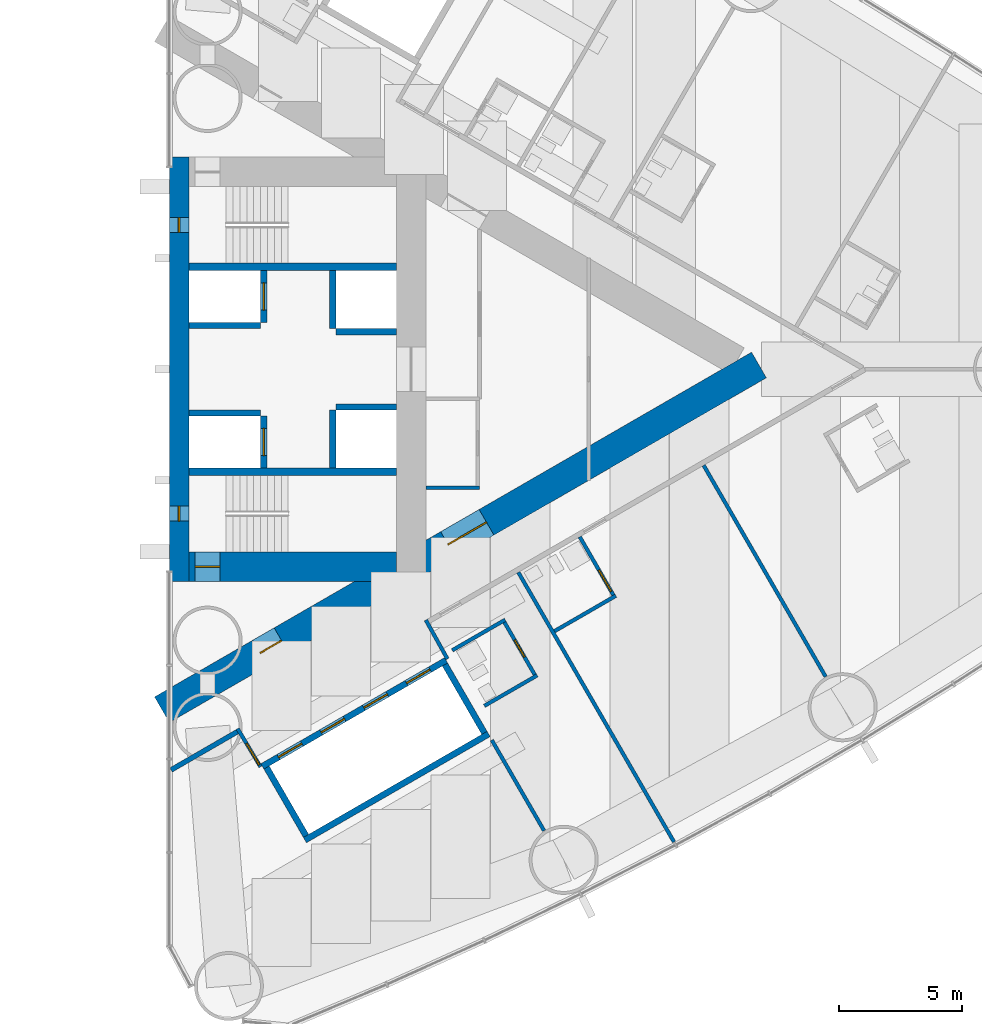
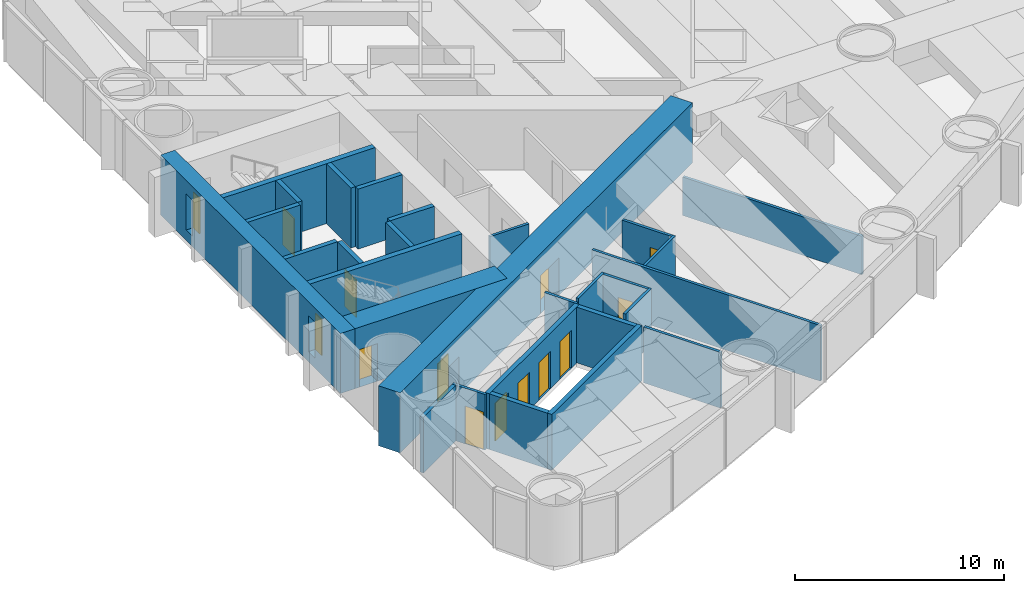
# One storey, part 13 of 18: 29 walls, 12 doors, 2 windows, 14 openings.
"""IFC4 building model written with IfcOpenShell, lengths in metres."""

from ifc_helpers import new_model, si_unit, direction, frame, frame_2d, origin, place, context, subcontext, project, spatial, rectangle, extrude, material, layer, layer_set, type_object, element, fill, save


model = new_model("IFC4")

# Units and contexts
model_context = context("Model", 3, precision=1e-05, world=origin(), true_north=direction((0.0, 1.0)))
body_context = subcontext(model_context, "Body", "Model", "MODEL_VIEW")
ifc_project = project(units=[si_unit("LENGTHUNIT", "METRE"), si_unit("AREAUNIT", "SQUARE_METRE"), si_unit("VOLUMEUNIT", "CUBIC_METRE"), si_unit("PLANEANGLEUNIT", "RADIAN"), si_unit("MASSUNIT", "GRAM", prefix="KILO")], contexts=[model_context])

# Site, building, storey
site_placement = place(None, origin())
site = spatial("IfcSite", under=ifc_project, at=site_placement, CompositionType="ELEMENT")
building_placement = place(site_placement, origin())
building = spatial("IfcBuilding", under=site, at=building_placement, Name="Lancet Gate Hotel", CompositionType="ELEMENT")
storey_placement = place(building_placement, frame((0.0, 0.0, 42.5)))
storey = spatial("IfcBuildingStorey", under=building, at=storey_placement, Name="L10", CompositionType="ELEMENT", Elevation=42.5)

# Wall
ifc_material_1 = material(Name="Moisture resistant board partition")
ifc_layer_1 = layer(ifc_material_1, 0.14990234375)
ifc_layer_set_1 = layer_set([ifc_layer_1], Name="Bathroom wall 150")
wall_type_1 = type_object("IfcWallType", Name="Bathroom wall 150", PredefinedType="PARTITIONING", material=ifc_layer_set_1)
wall_1_placement = place(storey_placement, frame((43.1123046875, -10.617431640625, 0.0), z_axis=(0.0, 0.0, 1.0), x_axis=(0.866018712932, 0.500011588718, 0.0)))
element("IfcWall", 1, at=wall_1_placement, inside=storey, type_object=wall_type_1, Name="T2 bathroom wall 150 L10", PredefinedType="PARTITIONING", context=body_context, shape_type="SweptSolid", body=[
    extrude(rectangle(XDim=2.875, YDim=0.14990234375, at=frame_2d((1.4375, 0.0))), origin(), (0.0, 0.0, 1.0), 3.25),
])

# Wall, opening, door
wall_2_placement = place(storey_placement, frame((44.13720703125, -6.79248046875, 0.0), z_axis=(0.0, 0.0, 1.0), x_axis=(0.49994636267, -0.866056369097, 0.0)))
wall_2 = element("IfcWall", 2, at=wall_2_placement, inside=storey, type_object=wall_type_1, Name="T2 bathroom wall 150 L10", PredefinedType="PARTITIONING", context=body_context, shape_type="SweptSolid", body=[
    extrude(rectangle(XDim=2.800048828125, YDim=0.14990234375, at=frame_2d((1.39990234375, 0.0))), origin(), (0.0, 0.0, 1.0), 3.25),
])
opening_1_placement = place(wall_2_placement, frame((1.550048828125, 0.0, 0.0)))
opening_1 = element("IfcOpeningElement", 3, at=opening_1_placement, cuts=wall_2, Name="Opening 1054-B", PredefinedType="OPENING", context=body_context, shape_type="SweptSolid", body=[
    extrude(rectangle(XDim=1.0, YDim=2.199951171875, at=frame_2d((0.5, 1.10009765625))), frame((0.0, 0.0849609375, 0.0), z_axis=(0.0, -1.0, 0.0), x_axis=(1.0, 0.0, 0.0)), (0.0, 0.0, 1.0), 0.169921875),
])
ifc_material_2 = material(Name="Timber door set", Category="wood")
door_type_1 = type_object("IfcDoorType", Name="Accessible en-suite door 1000", OperationType="SINGLE_SWING_RIGHT", PredefinedType="DOOR", material=ifc_material_2)
door_1_placement = place(opening_1_placement, origin())
door_1 = element("IfcDoor", 4, at=door_1_placement, inside=storey, type_object=door_type_1, Name="1054-B", OperationType="SINGLE_SWING_RIGHT", OverallHeight=2.199951171875, OverallWidth=1.0, PredefinedType="DOOR", context=body_context, shape_type="SweptSolid", body=[
    extrude(rectangle(XDim=1.0, YDim=2.199951171875, at=frame_2d((0.5, 1.10009765625))), frame((0.0, 0.02490234375, 0.0), z_axis=(0.0, -1.0, 0.0), x_axis=(1.0, 0.0, 0.0)), (0.0, 0.0, 1.0), 0.050048828125),
])
fill(opening_1, door_1)

# Wall
wall_3_placement = place(storey_placement, frame((40.269775390625, -13.644287109375, 0.0), z_axis=(0.0, 0.0, 1.0), x_axis=(0.866031185235, 0.4999899861, 0.0)))
element("IfcWall", 5, at=wall_3_placement, inside=storey, type_object=wall_type_1, Name="T2 bathroom wall 150 L10", PredefinedType="PARTITIONING", context=body_context, shape_type="SweptSolid", body=[
    extrude(rectangle(XDim=2.47509765625, YDim=0.14990234375, at=frame_2d((1.237548828125, 0.0))), origin(), (0.0, 0.0, 1.0), 3.25),
])

# Wall, opening, door
wall_4_placement = place(storey_placement, frame((41.04833984375, -10.192626953125, 0.0), z_axis=(0.0, 0.0, 1.0), x_axis=(0.500047596559, -0.865997922154, 0.0)))
wall_4 = element("IfcWall", 6, at=wall_4_placement, inside=storey, type_object=wall_type_1, Name="T2 bathroom wall 150 L10", PredefinedType="PARTITIONING", context=body_context, shape_type="SweptSolid", body=[
    extrude(rectangle(XDim=2.599853515625, YDim=0.14990234375, at=frame_2d((1.2998046875, 0.0))), origin(), (0.0, 0.0, 1.0), 3.25),
])
opening_2_placement = place(wall_4_placement, frame((0.89990234375, 0.0, 0.0)))
opening_2 = element("IfcOpeningElement", 7, at=opening_2_placement, cuts=wall_4, Name="Opening 1053-B", PredefinedType="OPENING", context=body_context, shape_type="SweptSolid", body=[
    extrude(rectangle(XDim=0.800048828125, YDim=2.199951171875, at=frame_2d((0.39990234375, 1.10009765625))), frame((0.0, 0.0849609375, 0.0), z_axis=(0.0, -1.0, 0.0), x_axis=(1.0, 0.0, 0.0)), (0.0, 0.0, 1.0), 0.169921875),
])
ifc_material_3 = material(Name="Timber door set", Category="wood")
door_type_2 = type_object("IfcDoorType", Name="Bathroom door 800", OperationType="SINGLE_SWING_RIGHT", PredefinedType="DOOR", material=ifc_material_3)
door_2_placement = place(opening_2_placement, origin())
door_2 = element("IfcDoor", 8, at=door_2_placement, inside=storey, type_object=door_type_2, Name="1053-B", OperationType="SINGLE_SWING_RIGHT", OverallHeight=2.199951171875, OverallWidth=0.800048828125, PredefinedType="DOOR", context=body_context, shape_type="SweptSolid", body=[
    extrude(rectangle(XDim=0.800048828125, YDim=2.199951171875, at=frame_2d((0.39990234375, 1.10009765625))), frame((0.0, 0.02490234375, 0.0), z_axis=(0.0, -1.0, 0.0), x_axis=(1.0, 0.0, 0.0)), (0.0, 0.0, 1.0), 0.050048828125),
])
fill(opening_2, door_2)

# Wall
wall_5_placement = place(storey_placement, frame((38.9697265625, -11.392578125, 0.0), z_axis=(0.0, 0.0, 1.0), x_axis=(0.866031185235, 0.4999899861, 0.0)))
element("IfcWall", 9, at=wall_5_placement, inside=storey, type_object=wall_type_1, Name="T2 bathroom wall 150 L10", PredefinedType="PARTITIONING", context=body_context, shape_type="SweptSolid", body=[
    extrude(rectangle(XDim=2.47509765625, YDim=0.14990234375, at=frame_2d((1.237548828125, 0.0))), origin(), (0.0, 0.0, 1.0), 3.25),
])

# Wall, openings, doors
ifc_material_4 = material(Name="Concrete C70/85", Category="concrete")
ifc_layer_2 = layer(ifc_material_4, 1.199951171875)
ifc_layer_set_2 = layer_set([ifc_layer_2], Name="Buttress wall 1200")
wall_type_2 = type_object("IfcWallType", Name="Buttress wall 1200", PredefinedType="SHEAR", material=ifc_layer_set_2)
wall_6_placement = place(storey_placement, frame((27.199951171875, -13.800048828125, 0.0), z_axis=(0.0, 0.0, 1.0), x_axis=(0.866027159892, 0.499996958321, 0.0)))
wall_6 = element("IfcWall", 10, at=wall_6_placement, inside=storey, type_object=wall_type_2, Name="T2 buttress wall S L10", PredefinedType="SHEAR", context=body_context, shape_type="SweptSolid", body=[
    extrude(rectangle(XDim=27.946533203125, YDim=1.199951171875, at=frame_2d((13.97314453125, 0.0))), origin(), (0.0, 0.0, 1.0), 3.5),
])
opening_3_placement = place(wall_6_placement, frame((4.60009765625, 0.0, 0.0)))
opening_3 = element("IfcOpeningElement", 11, at=opening_3_placement, cuts=wall_6, Name="Opening T2-L10-LS", PredefinedType="OPENING", context=body_context, shape_type="SweptSolid", body=[
    extrude(rectangle(XDim=1.0, YDim=2.199951171875, at=frame_2d((0.5, 1.10009765625))), frame((0.0, 0.60986328125, 0.0), z_axis=(0.0, -1.0, 0.0), x_axis=(1.0, 0.0, 0.0)), (0.0, 0.0, 1.0), 1.219970703125),
])
opening_4_placement = place(wall_6_placement, frame((13.39453125, 0.0, 0.0)))
opening_4 = element("IfcOpeningElement", 12, at=opening_4_placement, cuts=wall_6, Name="Opening T2-L10-LHS", PredefinedType="OPENING", context=body_context, shape_type="SweptSolid", body=[
    extrude(rectangle(XDim=1.800048828125, YDim=2.199951171875, at=frame_2d((0.89990234375, 1.10009765625))), frame((0.0, 0.60986328125, 0.0), z_axis=(0.0, -1.0, 0.0), x_axis=(1.0, 0.0, 0.0)), (0.0, 0.0, 1.0), 1.219970703125),
])
ifc_material_5 = material(Name="Timber door set", Category="wood")
door_type_3 = type_object("IfcDoorType", Name="Lobby double door 1800", OperationType="DOUBLE_DOOR_SINGLE_SWING", PredefinedType="DOOR", material=ifc_material_5)
door_3_placement = place(opening_4_placement, origin())
door_3 = element("IfcDoor", 13, at=door_3_placement, inside=storey, type_object=door_type_3, Name="T2-L10-LHS", OperationType="DOUBLE_DOOR_SINGLE_SWING", OverallHeight=2.199951171875, OverallWidth=1.800048828125, PredefinedType="DOOR", context=body_context, shape_type="SweptSolid", body=[
    extrude(rectangle(XDim=1.800048828125, YDim=2.199951171875, at=frame_2d((0.89990234375, 1.10009765625))), frame((0.0, 0.02490234375, 0.0), z_axis=(0.0, -1.0, 0.0), x_axis=(1.0, 0.0, 0.0)), (0.0, 0.0, 1.0), 0.050048828125),
])
fill(opening_4, door_3)
ifc_material_6 = material(Name="Timber door set", Category="wood")
door_type_4 = type_object("IfcDoorType", Name="Stair lobby door 1000", OperationType="SINGLE_SWING_LEFT", PredefinedType="DOOR", material=ifc_material_6)
door_4_placement = place(opening_3_placement, origin())
door_4 = element("IfcDoor", 14, at=door_4_placement, inside=storey, type_object=door_type_4, Name="T2-L10-LS", OperationType="SINGLE_SWING_LEFT", OverallHeight=2.199951171875, OverallWidth=1.0, PredefinedType="DOOR", context=body_context, shape_type="SweptSolid", body=[
    extrude(rectangle(XDim=1.0, YDim=2.199951171875, at=frame_2d((0.5, 1.10009765625))), frame((0.0, 0.02490234375, 0.0), z_axis=(0.0, -1.0, 0.0), x_axis=(1.0, 0.0, 0.0)), (0.0, 0.0, 1.0), 0.050048828125),
])
fill(opening_3, door_4)

# Wall, opening, door
ifc_material_7 = material(Name="Concrete C70/85", Category="concrete")
ifc_layer_3 = layer(ifc_material_7, 1.199951171875)
ifc_layer_set_3 = layer_set([ifc_layer_3], Name="Core wall 1200")
wall_type_3 = type_object("IfcWallType", Name="Core wall 1200", PredefinedType="SHEAR", material=ifc_layer_set_3)
wall_7_placement = place(storey_placement, frame((28.300048828125, -8.0, 0.0), z_axis=(0.0, 0.0, 1.0), x_axis=(1.0, 0.0, 0.0)))
wall_7 = element("IfcWall", 15, at=wall_7_placement, inside=storey, type_object=wall_type_3, Name="T2 core wall side-S L10", PredefinedType="SHEAR", context=body_context, shape_type="SweptSolid", body=[
    extrude(rectangle(XDim=8.39990234375, YDim=1.199951171875, at=frame_2d((4.199951171875, 0.0))), origin(), (0.0, 0.0, 1.0), 3.5),
])
opening_5_placement = place(wall_7_placement, frame((0.25, 0.0, 0.0)))
opening_5 = element("IfcOpeningElement", 16, at=opening_5_placement, cuts=wall_7, Name="Opening T2-L10-ST1", PredefinedType="OPENING", context=body_context, shape_type="SweptSolid", body=[
    extrude(rectangle(XDim=1.0, YDim=2.199951171875, at=frame_2d((0.5, 1.10009765625))), frame((0.0, 0.60986328125, 0.0), z_axis=(0.0, -1.0, 0.0), x_axis=(1.0, 0.0, 0.0)), (0.0, 0.0, 1.0), 1.219970703125),
])
ifc_material_8 = material(Name="Timber door set", Category="wood")
door_type_5 = type_object("IfcDoorType", Name="Stair door 1000", OperationType="SINGLE_SWING_RIGHT", PredefinedType="DOOR", material=ifc_material_8)
door_5_placement = place(opening_5_placement, origin())
door_5 = element("IfcDoor", 17, at=door_5_placement, inside=storey, type_object=door_type_5, Name="T2-L10-ST1", OperationType="SINGLE_SWING_RIGHT", OverallHeight=2.199951171875, OverallWidth=1.0, PredefinedType="DOOR", context=body_context, shape_type="SweptSolid", body=[
    extrude(rectangle(XDim=1.0, YDim=2.199951171875, at=frame_2d((0.5, 1.10009765625))), frame((0.0, 0.02490234375, 0.0), z_axis=(0.0, -1.0, 0.0), x_axis=(1.0, 0.0, 0.0)), (0.0, 0.0, 1.0), 0.050048828125),
])
fill(opening_5, door_5)

# Wall, openings, windows
ifc_material_9 = material(Name="Concrete C70/85", Category="concrete")
ifc_layer_4 = layer(ifc_material_9, 0.800048828125)
ifc_layer_set_4 = layer_set([ifc_layer_4], Name="Core wall 800")
wall_type_4 = type_object("IfcWallType", Name="Core wall 800", PredefinedType="SHEAR", material=ifc_layer_set_4)
wall_8_placement = place(storey_placement, frame((27.89990234375, -8.60009765625, 0.0), z_axis=(0.0, 0.0, 1.0), x_axis=(0.0, 1.0, 0.0)))
wall_8 = element("IfcWall", 18, at=wall_8_placement, inside=storey, type_object=wall_type_4, Name="T2 core wall front L10", PredefinedType="SHEAR", context=body_context, shape_type="SweptSolid", body=[
    extrude(rectangle(XDim=17.2001953125, YDim=0.800048828125, at=frame_2d((8.60009765625, 0.0))), origin(), (0.0, 0.0, 1.0), 3.5),
])
opening_6_placement = place(wall_8_placement, frame((2.449951171875, 0.0, 0.60009765625)))
opening_6 = element("IfcOpeningElement", 19, at=opening_6_placement, cuts=wall_8, Name="Opening LW1", PredefinedType="OPENING", context=body_context, shape_type="SweptSolid", body=[
    extrude(rectangle(XDim=0.60009765625, YDim=2.10009765625, at=frame_2d((0.300048828125, 1.050048828125))), frame((0.0, 0.409912109375, 0.0), z_axis=(0.0, -1.0, 0.0), x_axis=(1.0, 0.0, 0.0)), (0.0, 0.0, 1.0), 0.820068359375),
])
opening_7_placement = place(wall_8_placement, frame((14.14990234375, 0.0, 0.60009765625)))
opening_7 = element("IfcOpeningElement", 20, at=opening_7_placement, cuts=wall_8, Name="Opening LW1", PredefinedType="OPENING", context=body_context, shape_type="SweptSolid", body=[
    extrude(rectangle(XDim=0.60009765625, YDim=2.10009765625, at=frame_2d((0.300048828125, 1.050048828125))), frame((0.0, 0.409912109375, 0.0), z_axis=(0.0, -1.0, 0.0), x_axis=(1.0, 0.0, 0.0)), (0.0, 0.0, 1.0), 0.820068359375),
])
ifc_material_10 = material(Name="Fire-resisting glazed steel window", Category="steel")
window_type = type_object("IfcWindowType", Name="Lancet window 600x2100", PartitioningType="SINGLE_PANEL", PredefinedType="WINDOW", material=ifc_material_10)
window_1_placement = place(opening_6_placement, origin())
window_1 = element("IfcWindow", 21, at=window_1_placement, inside=storey, type_object=window_type, Name="T2 stair window S L10", OverallHeight=2.10009765625, OverallWidth=0.60009765625, PartitioningType="SINGLE_PANEL", PredefinedType="WINDOW", context=body_context, shape_type="SweptSolid", body=[
    extrude(rectangle(XDim=0.60009765625, YDim=2.10009765625, at=frame_2d((0.300048828125, 1.050048828125))), frame((0.0, 0.030029296875, 0.0), z_axis=(0.0, -1.0, 0.0), x_axis=(1.0, 0.0, 0.0)), (0.0, 0.0, 1.0), 0.06005859375),
])
fill(opening_6, window_1)
window_2_placement = place(opening_7_placement, origin())
window_2 = element("IfcWindow", 22, at=window_2_placement, inside=storey, type_object=window_type, Name="T2 stair window N L10", OverallHeight=2.10009765625, OverallWidth=0.60009765625, PartitioningType="SINGLE_PANEL", PredefinedType="WINDOW", context=body_context, shape_type="SweptSolid", body=[
    extrude(rectangle(XDim=0.60009765625, YDim=2.10009765625, at=frame_2d((0.300048828125, 1.050048828125))), frame((0.0, 0.030029296875, 0.0), z_axis=(0.0, -1.0, 0.0), x_axis=(1.0, 0.0, 0.0)), (0.0, 0.0, 1.0), 0.06005859375),
])
fill(opening_7, window_2)

# Wall
ifc_material_11 = material(Name="Gypsum board partition")
ifc_layer_5 = layer(ifc_material_11, 0.199951171875)
ifc_layer_set_5 = layer_set([ifc_layer_5], Name="Corridor wall 200")
wall_type_5 = type_object("IfcWallType", Name="Corridor wall 200", PredefinedType="PARTITIONING", material=ifc_layer_set_5)
wall_9_placement = place(storey_placement, frame((27.572021484375, -16.240966796875, 0.0), z_axis=(0.0, 0.0, 1.0), x_axis=(0.866029654818, 0.499992636921, 0.0)))
element("IfcWall", 23, at=wall_9_placement, inside=storey, type_object=wall_type_5, Name="T2 corridor wall 200 L10", PredefinedType="PARTITIONING", context=body_context, shape_type="SweptSolid", body=[
    extrude(rectangle(XDim=3.15478515625, YDim=0.199951171875, at=frame_2d((1.577392578125, 0.0))), origin(), (0.0, 0.0, 1.0), 3.25),
])

# Wall, openings, doors
ifc_material_12 = material(Name="Gypsum board partition")
ifc_layer_6 = layer(ifc_material_12, 0.25)
ifc_layer_set_6 = layer_set([ifc_layer_6], Name="Lift shaft partition 250")
wall_type_6 = type_object("IfcWallType", Name="Lift shaft partition 250", PredefinedType="PARTITIONING", material=ifc_layer_set_6)
wall_10_placement = place(storey_placement, frame((31.2705078125, -16.09716796875, 0.0), z_axis=(0.0, 0.0, 1.0), x_axis=(0.86604045752, 0.499973925258, 0.0)))
wall_10 = element("IfcWall", 24, at=wall_10_placement, inside=storey, type_object=wall_type_6, Name="T2 lift shaft wall LR L10", PredefinedType="PARTITIONING", context=body_context, shape_type="SweptSolid", body=[
    extrude(rectangle(XDim=8.60009765625, YDim=0.25, at=frame_2d((4.300048828125, 0.0))), origin(), (0.0, 0.0, 1.0), 3.25),
])
opening_8_placement = place(wall_10_placement, frame((0.75, 0.0, 0.0)))
opening_8 = element("IfcOpeningElement", 25, at=opening_8_placement, cuts=wall_10, Name="Opening T2-LR1-L10", PredefinedType="OPENING", context=body_context, shape_type="SweptSolid", body=[
    extrude(rectangle(XDim=1.10009765625, YDim=2.199951171875, at=frame_2d((0.550048828125, 1.10009765625))), frame((0.0, 0.135009765625, 0.0), z_axis=(0.0, -1.0, 0.0), x_axis=(1.0, 0.0, 0.0)), (0.0, 0.0, 1.0), 0.27001953125),
])
opening_9_placement = place(wall_10_placement, frame((2.75, 0.0, 0.0)))
opening_9 = element("IfcOpeningElement", 26, at=opening_9_placement, cuts=wall_10, Name="Opening T2-LR2-L10", PredefinedType="OPENING", context=body_context, shape_type="SweptSolid", body=[
    extrude(rectangle(XDim=1.10009765625, YDim=2.199951171875, at=frame_2d((0.550048828125, 1.10009765625))), frame((0.0, 0.135009765625, 0.0), z_axis=(0.0, -1.0, 0.0), x_axis=(1.0, 0.0, 0.0)), (0.0, 0.0, 1.0), 0.27001953125),
])
opening_10_placement = place(wall_10_placement, frame((4.75, 0.0, 0.0)))
opening_10 = element("IfcOpeningElement", 27, at=opening_10_placement, cuts=wall_10, Name="Opening T2-LR3-L10", PredefinedType="OPENING", context=body_context, shape_type="SweptSolid", body=[
    extrude(rectangle(XDim=1.10009765625, YDim=2.199951171875, at=frame_2d((0.550048828125, 1.10009765625))), frame((0.0, 0.135009765625, 0.0), z_axis=(0.0, -1.0, 0.0), x_axis=(1.0, 0.0, 0.0)), (0.0, 0.0, 1.0), 0.27001953125),
])
opening_11_placement = place(wall_10_placement, frame((6.75, 0.0, 0.0)))
opening_11 = element("IfcOpeningElement", 28, at=opening_11_placement, cuts=wall_10, Name="Opening T2-LR4-L10", PredefinedType="OPENING", context=body_context, shape_type="SweptSolid", body=[
    extrude(rectangle(XDim=1.10009765625, YDim=2.199951171875, at=frame_2d((0.550048828125, 1.10009765625))), frame((0.0, 0.135009765625, 0.0), z_axis=(0.0, -1.0, 0.0), x_axis=(1.0, 0.0, 0.0)), (0.0, 0.0, 1.0), 0.27001953125),
])
ifc_material_13 = material(Name="Steel door set", Category="steel")
door_type_6 = type_object("IfcDoorType", Name="Lift landing door 1100", OperationType="DOUBLE_DOOR_SLIDING", PredefinedType="USERDEFINED", material=ifc_material_13)
door_6_placement = place(opening_8_placement, origin())
door_6 = element("IfcDoor", 29, at=door_6_placement, inside=storey, type_object=door_type_6, Name="T2-LR1-L10", ObjectType="LIFT LANDING DOOR", OperationType="DOUBLE_DOOR_SLIDING", OverallHeight=2.199951171875, OverallWidth=1.10009765625, PredefinedType="USERDEFINED", context=body_context, shape_type="SweptSolid", body=[
    extrude(rectangle(XDim=1.10009765625, YDim=2.199951171875, at=frame_2d((0.550048828125, 1.10009765625))), frame((0.0, 0.02490234375, 0.0), z_axis=(0.0, -1.0, 0.0), x_axis=(1.0, 0.0, 0.0)), (0.0, 0.0, 1.0), 0.050048828125),
])
fill(opening_8, door_6)
door_7_placement = place(opening_9_placement, origin())
door_7 = element("IfcDoor", 30, at=door_7_placement, inside=storey, type_object=door_type_6, Name="T2-LR2-L10", ObjectType="LIFT LANDING DOOR", OperationType="DOUBLE_DOOR_SLIDING", OverallHeight=2.199951171875, OverallWidth=1.10009765625, PredefinedType="USERDEFINED", context=body_context, shape_type="SweptSolid", body=[
    extrude(rectangle(XDim=1.10009765625, YDim=2.199951171875, at=frame_2d((0.550048828125, 1.10009765625))), frame((0.0, 0.02490234375, 0.0), z_axis=(0.0, -1.0, 0.0), x_axis=(1.0, 0.0, 0.0)), (0.0, 0.0, 1.0), 0.050048828125),
])
fill(opening_9, door_7)
door_8_placement = place(opening_10_placement, origin())
door_8 = element("IfcDoor", 31, at=door_8_placement, inside=storey, type_object=door_type_6, Name="T2-LR3-L10", ObjectType="LIFT LANDING DOOR", OperationType="DOUBLE_DOOR_SLIDING", OverallHeight=2.199951171875, OverallWidth=1.10009765625, PredefinedType="USERDEFINED", context=body_context, shape_type="SweptSolid", body=[
    extrude(rectangle(XDim=1.10009765625, YDim=2.199951171875, at=frame_2d((0.550048828125, 1.10009765625))), frame((0.0, 0.02490234375, 0.0), z_axis=(0.0, -1.0, 0.0), x_axis=(1.0, 0.0, 0.0)), (0.0, 0.0, 1.0), 0.050048828125),
])
fill(opening_10, door_8)
door_9_placement = place(opening_11_placement, origin())
door_9 = element("IfcDoor", 32, at=door_9_placement, inside=storey, type_object=door_type_6, Name="T2-LR4-L10", ObjectType="LIFT LANDING DOOR", OperationType="DOUBLE_DOOR_SLIDING", OverallHeight=2.199951171875, OverallWidth=1.10009765625, PredefinedType="USERDEFINED", context=body_context, shape_type="SweptSolid", body=[
    extrude(rectangle(XDim=1.10009765625, YDim=2.199951171875, at=frame_2d((0.550048828125, 1.10009765625))), frame((0.0, 0.02490234375, 0.0), z_axis=(0.0, -1.0, 0.0), x_axis=(1.0, 0.0, 0.0)), (0.0, 0.0, 1.0), 0.050048828125),
])
fill(opening_11, door_9)

# Walls
wall_11_placement = place(storey_placement, frame((32.99560546875, -19.085693359375, 0.0), z_axis=(0.0, 0.0, 1.0), x_axis=(0.866028165386, 0.499995216735, 0.0)))
element("IfcWall", 33, at=wall_11_placement, inside=storey, type_object=wall_type_6, Name="T2 lift shaft wall LR L10", PredefinedType="PARTITIONING", context=body_context, shape_type="SweptSolid", body=[
    extrude(rectangle(XDim=8.60009765625, YDim=0.25, at=frame_2d((4.300048828125, 0.0))), origin(), (0.0, 0.0, 1.0), 3.25),
])
for number, where, z_axis, x_axis, name in (
    (34, (31.441162109375, -16.14306640625, 0.0), (0.0, 0.0, 1.0), (0.499929347863, -0.866066190972, 0.0), "T2 lift shaft wall LR L10"),
    (35, (38.672607421875, -11.968017578125, 0.0), (0.0, 0.0, 1.0), (0.499929347863, -0.866066190972, 0.0), "T2 lift shaft wall LR L10"),
):
    element("IfcWall", number, at=place(storey_placement, frame(where, z_axis=z_axis, x_axis=x_axis)), inside=storey, type_object=wall_type_6, Name=name, PredefinedType="PARTITIONING", context=body_context, shape_type="SweptSolid", body=[
        extrude(rectangle(XDim=3.20068359375, YDim=0.25, at=frame_2d((1.600341796875, 0.0))), origin(), (0.0, 0.0, 1.0), 3.25),
    ])

# Wall, opening, door
ifc_material_14 = material(Name="Concrete C50/60", Category="concrete")
ifc_layer_7 = layer(ifc_material_14, 0.25)
ifc_layer_set_7 = layer_set([ifc_layer_7], Name="Lift shaft wall 250")
wall_type_7 = type_object("IfcWallType", Name="Lift shaft wall 250", PredefinedType="SHEAR", material=ifc_layer_set_7)
wall_12_placement = place(storey_placement, frame((31.324951171875, -4.0, 0.0), z_axis=(0.0, 0.0, 1.0), x_axis=(0.0, 1.0, 0.0)))
wall_12 = element("IfcWall", 36, at=wall_12_placement, inside=storey, type_object=wall_type_7, Name="T2 core wall row1-S L10", PredefinedType="SHEAR", context=body_context, shape_type="SweptSolid", body=[
    extrude(rectangle(XDim=2.10009765625, YDim=0.25, at=frame_2d((1.050048828125, 0.0))), origin(), (0.0, 0.0, 1.0), 3.5),
])
opening_12_placement = place(wall_12_placement, frame((0.5, 0.0, 0.0)))
opening_12 = element("IfcOpeningElement", 37, at=opening_12_placement, cuts=wall_12, Name="Opening T2-SL1-L10", PredefinedType="OPENING", context=body_context, shape_type="SweptSolid", body=[
    extrude(rectangle(XDim=1.10009765625, YDim=2.199951171875, at=frame_2d((0.550048828125, 1.10009765625))), frame((0.0, 0.135009765625, 0.0), z_axis=(0.0, -1.0, 0.0), x_axis=(1.0, 0.0, 0.0)), (0.0, 0.0, 1.0), 0.27001953125),
])
ifc_material_15 = material(Name="Timber door set", Category="wood")
door_type_7 = type_object("IfcDoorType", Name="Service lift landing door 1100", OperationType="SLIDING_TO_LEFT", PredefinedType="USERDEFINED", material=ifc_material_15)
door_10_placement = place(opening_12_placement, origin())
door_10 = element("IfcDoor", 38, at=door_10_placement, inside=storey, type_object=door_type_7, Name="T2-SL1-L10", ObjectType="LIFT LANDING DOOR", OperationType="SLIDING_TO_LEFT", OverallHeight=2.199951171875, OverallWidth=1.10009765625, PredefinedType="USERDEFINED", context=body_context, shape_type="SweptSolid", body=[
    extrude(rectangle(XDim=1.10009765625, YDim=2.199951171875, at=frame_2d((0.550048828125, 1.10009765625))), frame((0.0, 0.02490234375, 0.0), z_axis=(0.0, -1.0, 0.0), x_axis=(1.0, 0.0, 0.0)), (0.0, 0.0, 1.0), 0.050048828125),
])
fill(opening_12, door_10)

# Walls
wall_13_placement = place(storey_placement, frame((34.125, -4.0, 0.0), z_axis=(0.0, 0.0, 1.0), x_axis=(0.0, 1.0, 0.0)))
element("IfcWall", 39, at=wall_13_placement, inside=storey, type_object=wall_type_7, Name="T2 core wall row2-S L10", PredefinedType="SHEAR", context=body_context, shape_type="SweptSolid", body=[
    extrude(rectangle(XDim=2.35009765625, YDim=0.25, at=frame_2d((1.175048828125, 0.0))), origin(), (0.0, 0.0, 1.0), 3.5),
])
wall_14_placement = place(storey_placement, frame((28.300048828125, -1.77490234375, 0.0), z_axis=(0.0, 0.0, 1.0), x_axis=(1.0, 0.0, 0.0)))
element("IfcWall", 40, at=wall_14_placement, inside=storey, type_object=wall_type_7, Name="T2 core wall pass1-S L10", PredefinedType="SHEAR", context=body_context, shape_type="SweptSolid", body=[
    extrude(rectangle(XDim=2.89990234375, YDim=0.25, at=frame_2d((1.449951171875, 0.0))), origin(), (0.0, 0.0, 1.0), 3.5),
])
wall_15_placement = place(storey_placement, frame((34.25, -1.52490234375, 0.0), z_axis=(0.0, 0.0, 1.0), x_axis=(1.0, 0.0, 0.0)))
element("IfcWall", 41, at=wall_15_placement, inside=storey, type_object=wall_type_7, Name="T2 core wall pass2-S L10", PredefinedType="SHEAR", context=body_context, shape_type="SweptSolid", body=[
    extrude(rectangle(XDim=2.449951171875, YDim=0.25, at=frame_2d((1.22509765625, 0.0))), origin(), (0.0, 0.0, 1.0), 3.5),
])

# Wall, opening, door
wall_16_placement = place(storey_placement, frame((31.324951171875, 1.89990234375, 0.0), z_axis=(0.0, 0.0, 1.0), x_axis=(0.0, 1.0, 0.0)))
wall_16 = element("IfcWall", 42, at=wall_16_placement, inside=storey, type_object=wall_type_7, Name="T2 core wall row1-N L10", PredefinedType="SHEAR", context=body_context, shape_type="SweptSolid", body=[
    extrude(rectangle(XDim=2.10009765625, YDim=0.25, at=frame_2d((1.050048828125, 0.0))), origin(), (0.0, 0.0, 1.0), 3.5),
])
opening_13_placement = place(wall_16_placement, frame((0.5, 0.0, 0.0)))
opening_13 = element("IfcOpeningElement", 43, at=opening_13_placement, cuts=wall_16, Name="Opening T2-FL2-L10", PredefinedType="OPENING", context=body_context, shape_type="SweptSolid", body=[
    extrude(rectangle(XDim=1.10009765625, YDim=2.199951171875, at=frame_2d((0.550048828125, 1.10009765625))), frame((0.0, 0.135009765625, 0.0), z_axis=(0.0, -1.0, 0.0), x_axis=(1.0, 0.0, 0.0)), (0.0, 0.0, 1.0), 0.27001953125),
])
ifc_material_16 = material(Name="Steel door set", Category="steel")
door_type_8 = type_object("IfcDoorType", Name="Firefighting lift landing door 1100", OperationType="SLIDING_TO_LEFT", PredefinedType="USERDEFINED", material=ifc_material_16)
door_11_placement = place(opening_13_placement, origin())
door_11 = element("IfcDoor", 44, at=door_11_placement, inside=storey, type_object=door_type_8, Name="T2-FL2-L10", ObjectType="LIFT LANDING DOOR", OperationType="SLIDING_TO_LEFT", OverallHeight=2.199951171875, OverallWidth=1.10009765625, PredefinedType="USERDEFINED", context=body_context, shape_type="SweptSolid", body=[
    extrude(rectangle(XDim=1.10009765625, YDim=2.199951171875, at=frame_2d((0.550048828125, 1.10009765625))), frame((0.0, 0.02490234375, 0.0), z_axis=(0.0, -1.0, 0.0), x_axis=(1.0, 0.0, 0.0)), (0.0, 0.0, 1.0), 0.050048828125),
])
fill(opening_13, door_11)

# Walls
wall_17_placement = place(storey_placement, frame((34.125, 1.64990234375, 0.0), z_axis=(0.0, 0.0, 1.0), x_axis=(0.0, 1.0, 0.0)))
element("IfcWall", 45, at=wall_17_placement, inside=storey, type_object=wall_type_7, Name="T2 core wall row2-N L10", PredefinedType="SHEAR", context=body_context, shape_type="SweptSolid", body=[
    extrude(rectangle(XDim=2.35009765625, YDim=0.25, at=frame_2d((1.175048828125, 0.0))), origin(), (0.0, 0.0, 1.0), 3.5),
])
wall_18_placement = place(storey_placement, frame((28.300048828125, 1.77490234375, 0.0), z_axis=(0.0, 0.0, 1.0), x_axis=(1.0, 0.0, 0.0)))
element("IfcWall", 46, at=wall_18_placement, inside=storey, type_object=wall_type_7, Name="T2 core wall pass1-N L10", PredefinedType="SHEAR", context=body_context, shape_type="SweptSolid", body=[
    extrude(rectangle(XDim=2.89990234375, YDim=0.25, at=frame_2d((1.449951171875, 0.0))), origin(), (0.0, 0.0, 1.0), 3.5),
])
wall_19_placement = place(storey_placement, frame((34.25, 1.52490234375, 0.0), z_axis=(0.0, 0.0, 1.0), x_axis=(1.0, 0.0, 0.0)))
element("IfcWall", 47, at=wall_19_placement, inside=storey, type_object=wall_type_7, Name="T2 core wall pass2-N L10", PredefinedType="SHEAR", context=body_context, shape_type="SweptSolid", body=[
    extrude(rectangle(XDim=2.449951171875, YDim=0.25, at=frame_2d((1.22509765625, 0.0))), origin(), (0.0, 0.0, 1.0), 3.5),
])
ifc_material_17 = material(Name="Gypsum board partition")
ifc_layer_8 = layer(ifc_material_17, 0.14990234375)
ifc_layer_set_8 = layer_set([ifc_layer_8], Name="Party wall 150")
wall_type_8 = type_object("IfcWallType", Name="Party wall 150", PredefinedType="PARTITIONING", material=ifc_layer_set_8)
wall_20_placement = place(storey_placement, frame((41.6474609375, -8.22998046875, 0.0), z_axis=(0.0, 0.0, 1.0), x_axis=(0.49998590462, -0.866033541603, 0.0)))
element("IfcWall", 48, at=wall_20_placement, inside=storey, type_object=wall_type_8, Name="T2 party wall 150 L10", PredefinedType="PARTITIONING", context=body_context, shape_type="SweptSolid", body=[
    extrude(rectangle(XDim=12.620849609375, YDim=0.14990234375, at=frame_2d((6.310546875, 0.0))), origin(), (0.0, 0.0, 1.0), 3.25),
])
wall_21_placement = place(storey_placement, frame((49.159423828125, -3.892822265625, 0.0), z_axis=(0.0, 0.0, 1.0), x_axis=(0.499998773722, -0.866026111775, 0.0)))
element("IfcWall", 49, at=wall_21_placement, inside=storey, type_object=wall_type_8, Name="T2 party wall 150 L10", PredefinedType="PARTITIONING", context=body_context, shape_type="SweptSolid", body=[
    extrude(rectangle(XDim=9.8916015625, YDim=0.14990234375, at=frame_2d((4.94580078125, 0.0))), origin(), (0.0, 0.0, 1.0), 2.25),
])
wall_22_placement = place(storey_placement, frame((40.5703125, -15.030029296875, 0.0), z_axis=(0.0, 0.0, 1.0), x_axis=(0.500012993597, -0.866017901798, 0.0)))
element("IfcWall", 50, at=wall_22_placement, inside=storey, type_object=wall_type_8, Name="T2 party wall 150 L10", PredefinedType="PARTITIONING", context=body_context, shape_type="SweptSolid", body=[
    extrude(rectangle(XDim=4.2431640625, YDim=0.14990234375, at=frame_2d((2.12158203125, 0.0))), origin(), (0.0, 0.0, 1.0), 3.25),
])
ifc_material_18 = material(Name="Gypsum board partition")
ifc_layer_9 = layer(ifc_material_18, 0.14990234375)
ifc_layer_set_9 = layer_set([ifc_layer_9], Name="Service room wall 150")
wall_type_9 = type_object("IfcWallType", Name="Service room wall 150", PredefinedType="PARTITIONING", material=ifc_layer_set_9)
wall_23_placement = place(storey_placement, frame((38.7734375, -11.742431640625, 0.0), z_axis=(0.0, 0.0, 1.0), x_axis=(-0.485528096672, 0.8742210632, 0.0)))
element("IfcWall", 51, at=wall_23_placement, inside=storey, type_object=wall_type_9, Name="T2 service room wall 150 L10", PredefinedType="PARTITIONING", context=body_context, shape_type="SweptSolid", body=[
    extrude(rectangle(XDim=1.80517578125, YDim=0.14990234375, at=frame_2d((0.902587890625, 0.0))), origin(), (0.0, 0.0, 1.0), 3.25),
])

# Wall, opening, door
wall_24_placement = place(storey_placement, frame((30.26708984375, -14.5693359375, 0.0), z_axis=(0.0, 0.0, 1.0), x_axis=(0.514336634837, -0.857588377991, 0.0)))
wall_24 = element("IfcWall", 52, at=wall_24_placement, inside=storey, type_object=wall_type_9, Name="T2 service room wall 150 L10", PredefinedType="PARTITIONING", context=body_context, shape_type="SweptSolid", body=[
    extrude(rectangle(XDim=1.80517578125, YDim=0.14990234375, at=frame_2d((0.902587890625, 0.0))), origin(), (0.0, 0.0, 1.0), 3.25),
])
opening_14_placement = place(wall_24_placement, frame((0.702880859375, 0.0, 0.0)))
opening_14 = element("IfcOpeningElement", 53, at=opening_14_placement, cuts=wall_24, Name="Opening T2-L10-LO1", PredefinedType="OPENING", context=body_context, shape_type="SweptSolid", body=[
    extrude(rectangle(XDim=1.0, YDim=2.199951171875, at=frame_2d((0.5, 1.10009765625))), frame((0.0, 0.0849609375, 0.0), z_axis=(0.0, -1.0, 0.0), x_axis=(1.0, 0.0, 0.0)), (0.0, 0.0, 1.0), 0.169921875),
])
ifc_material_19 = material(Name="Timber door set", Category="wood")
door_type_9 = type_object("IfcDoorType", Name="Service door 1000", OperationType="SINGLE_SWING_LEFT", PredefinedType="DOOR", material=ifc_material_19)
door_12_placement = place(opening_14_placement, origin())
door_12 = element("IfcDoor", 54, at=door_12_placement, inside=storey, type_object=door_type_9, Name="T2-L10-LO1", OperationType="SINGLE_SWING_LEFT", OverallHeight=2.199951171875, OverallWidth=1.0, PredefinedType="DOOR", context=body_context, shape_type="SweptSolid", body=[
    extrude(rectangle(XDim=1.0, YDim=2.199951171875, at=frame_2d((0.5, 1.10009765625))), frame((0.0, 0.02490234375, 0.0), z_axis=(0.0, -1.0, 0.0), x_axis=(1.0, 0.0, 0.0)), (0.0, 0.0, 1.0), 0.050048828125),
])
fill(opening_14, door_12)

# Walls
wall_25_placement = place(storey_placement, frame((37.89990234375, -4.800048828125, 0.0), z_axis=(0.0, 0.0, 1.0), x_axis=(1.0, 0.0, 0.0)))
element("IfcWall", 55, at=wall_25_placement, inside=storey, type_object=wall_type_9, Name="T2 service room wall 150 L10", PredefinedType="PARTITIONING", context=body_context, shape_type="SweptSolid", body=[
    extrude(rectangle(XDim=2.175048828125, YDim=0.14990234375, at=frame_2d((1.08740234375, 0.0))), origin(), (0.0, 0.0, 1.0), 3.25),
])
ifc_material_20 = material(Name="Concrete C50/60", Category="concrete")
ifc_layer_10 = layer(ifc_material_20, 0.300048828125)
ifc_layer_set_10 = layer_set([ifc_layer_10], Name="Stair enclosure wall 300")
wall_type_10 = type_object("IfcWallType", Name="Stair enclosure wall 300", PredefinedType="SHEAR", material=ifc_layer_set_10)
for number, where, z_axis, x_axis, name in (
    (56, (28.300048828125, -4.14990234375, 0.0), (0.0, 0.0, 1.0), (1.0, 0.0, 0.0), "T2 core wall stair-S L10"),
    (57, (28.300048828125, 4.14990234375, 0.0), (0.0, 0.0, 1.0), (1.0, 0.0, 0.0), "T2 core wall stair-N L10"),
):
    element("IfcWall", number, at=place(storey_placement, frame(where, z_axis=z_axis, x_axis=x_axis)), inside=storey, type_object=wall_type_10, Name=name, PredefinedType="SHEAR", context=body_context, shape_type="SweptSolid", body=[
        extrude(rectangle(XDim=8.39990234375, YDim=0.300048828125, at=frame_2d((4.199951171875, 0.0))), origin(), (0.0, 0.0, 1.0), 3.5),
    ])

save(model, "model.ifc")
